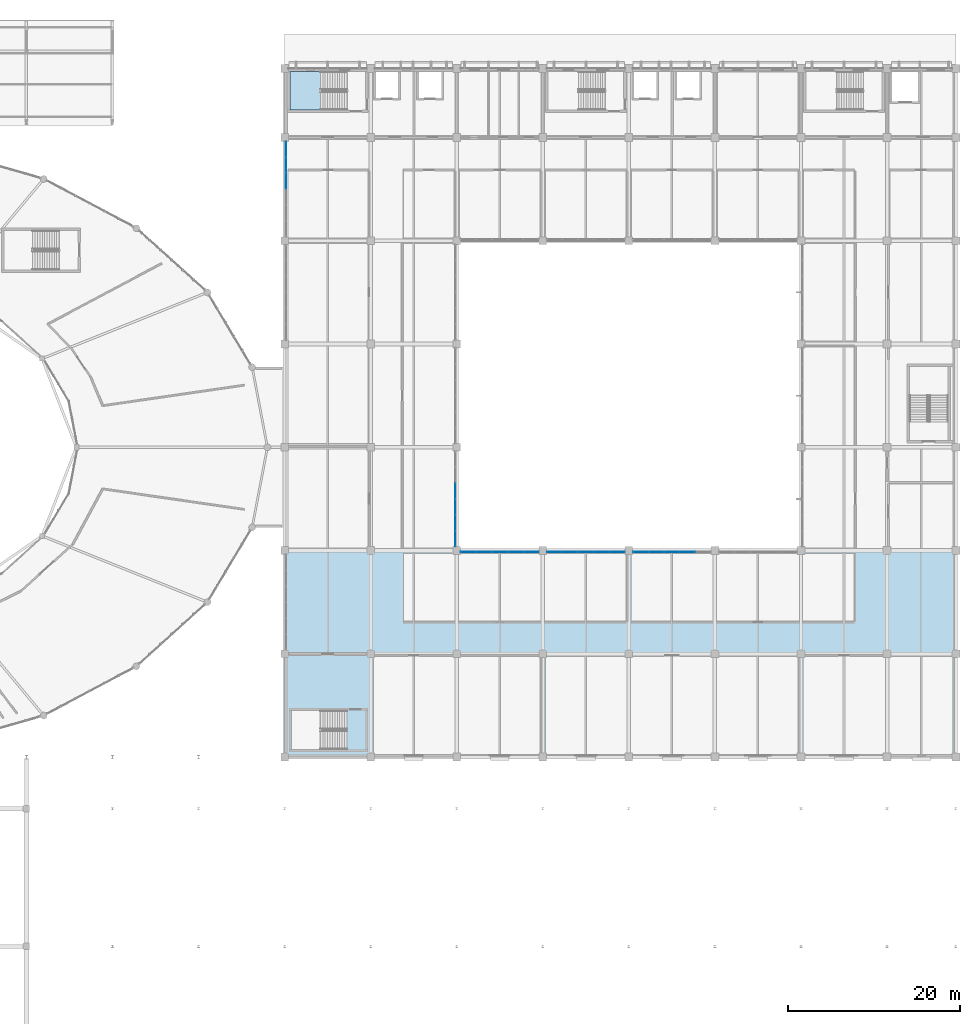
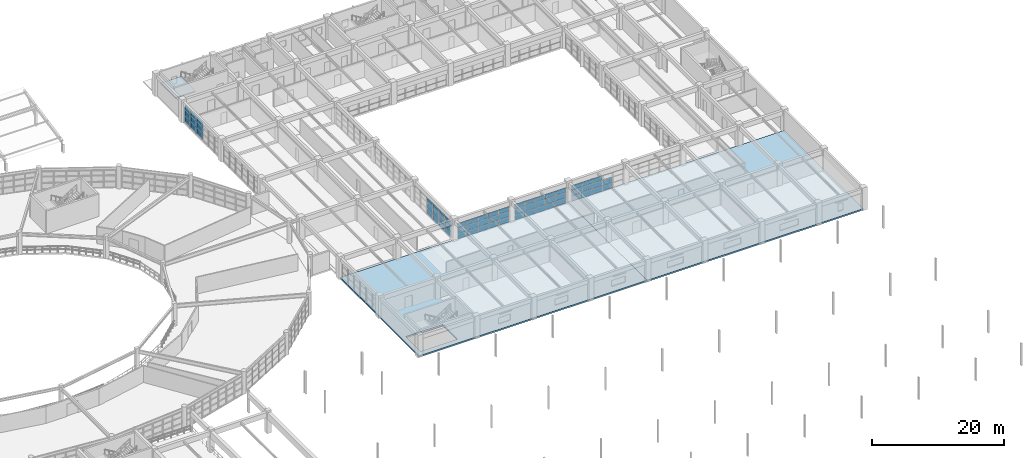
# One storey, part 70 of 100: 62 plates, 3 slabs, 6 elements without a shape of their own.
"""IFC4 building model written with IfcOpenShell, lengths in metres."""

from ifc_helpers import new_model, si_unit, direction, frame, origin, origin_2d, place, context, subcontext, project, spatial, polyline, rectangle, outline, extrude, material, layer, layer_set, type_object, element, aggregate, save


model = new_model("IFC4")

# Units and contexts
model_context = context("Model", 3, precision=1e-05, world=origin(), true_north=direction((0.0, 1.0)))
body_context = subcontext(model_context, "Body", "Model", "MODEL_VIEW")
ifc_project = project(units=[si_unit("LENGTHUNIT", "METRE"), si_unit("AREAUNIT", "SQUARE_METRE"), si_unit("VOLUMEUNIT", "CUBIC_METRE"), si_unit("PLANEANGLEUNIT", "RADIAN"), si_unit("MASSUNIT", "GRAM", prefix="KILO")], contexts=[model_context])

# Site, building, storey
site_placement = place(None, origin())
site = spatial("IfcSite", under=ifc_project, at=site_placement, CompositionType="ELEMENT")
building_placement = place(site_placement, origin())
building = spatial("IfcBuilding", under=site, at=building_placement, Name="Kivolera Central Railway Station", CompositionType="ELEMENT")
storey_placement = place(building_placement, frame((0.0, 0.0, 5.39990234375)))
storey = spatial("IfcBuildingStorey", under=building, at=storey_placement, Name="L01", CompositionType="ELEMENT", Elevation=5.39990234375)

# Curtain wall, plates
ifc_material_1 = material(Name="Anodised aluminium", Category="aluminium")
ifc_layer_1 = layer(ifc_material_1, 0.179931640625, Name="Anodised aluminium")
ifc_layer_set_1 = layer_set([ifc_layer_1], Name="Anodised aluminium")
curtain_wall_type_1 = type_object("IfcCurtainWallType", Name="CW-SYS-25", PredefinedType="NOTDEFINED", material=ifc_layer_set_1)
curtain_wall_1_placement = place(storey_placement, origin())
curtain_wall_1 = element("IfcCurtainWall", 1, at=curtain_wall_1_placement, inside=storey, type_object=curtain_wall_type_1, Name="L01 Curtain Wall CW-L01-CRTW-G", PredefinedType="NOTDEFINED")
ifc_material_2 = material(Name="Double low-E laminated glass", Category="glass")
ifc_layer_2 = layer(ifc_material_2, 0.02587890625, Name="Double low-E laminated glass")
ifc_layer_set_2 = layer_set([ifc_layer_2], Name="Double low-E laminated glass")
plate_type_1 = type_object("IfcPlateType", Name="CWP-GLZ-1", PredefinedType="CURTAIN_PANEL", material=ifc_layer_set_2)
plate_1_placement = place(storey_placement, frame((137.840087890625, 84.92578125, 0.048095703125), z_axis=(0.0, 0.0, 1.0), x_axis=(0.0, -1.0, 0.0)))
plate_1 = element("IfcPlate", 2, at=plate_1_placement, type_object=plate_type_1, Name="CW-25 panel 3.1", PredefinedType="CURTAIN_PANEL", context=body_context, shape_type="SweptSolid", body=[
    extrude(rectangle(XDim=1.815673828125, YDim=0.02587890625, at=origin_2d()), origin(), (0.0, 0.0, 1.0), 1.025390625),
])
plate_2_placement = place(storey_placement, frame((137.840087890625, 84.92578125, 1.109375), z_axis=(0.0, 0.0, 1.0), x_axis=(0.0, -1.0, 0.0)))
plate_2 = element("IfcPlate", 3, at=plate_2_placement, type_object=plate_type_1, Name="CW-25 panel 3.2", PredefinedType="CURTAIN_PANEL", context=body_context, shape_type="SweptSolid", body=[
    extrude(rectangle(XDim=1.815673828125, YDim=0.02587890625, at=origin_2d()), origin(), (0.0, 0.0, 1.0), 1.055419921875),
])
plate_3_placement = place(storey_placement, frame((137.840087890625, 84.92578125, 2.20068359375), z_axis=(0.0, 0.0, 1.0), x_axis=(0.0, -1.0, 0.0)))
plate_3 = element("IfcPlate", 4, at=plate_3_placement, type_object=plate_type_1, Name="CW-25 panel 3.3", PredefinedType="CURTAIN_PANEL", context=body_context, shape_type="SweptSolid", body=[
    extrude(rectangle(XDim=1.815673828125, YDim=0.02587890625, at=origin_2d()), origin(), (0.0, 0.0, 1.0), 0.869384765625),
])
plate_4_placement = place(storey_placement, frame((137.840087890625, 83.07421875, 0.048095703125), z_axis=(0.0, 0.0, 1.0), x_axis=(0.0, -1.0, 0.0)))
plate_4 = element("IfcPlate", 5, at=plate_4_placement, type_object=plate_type_1, Name="CW-25 panel 4.1", PredefinedType="CURTAIN_PANEL", context=body_context, shape_type="SweptSolid", body=[
    extrude(rectangle(XDim=1.815673828125, YDim=0.02587890625, at=origin_2d()), origin(), (0.0, 0.0, 1.0), 1.025390625),
])
plate_5_placement = place(storey_placement, frame((137.840087890625, 83.07421875, 1.109375), z_axis=(0.0, 0.0, 1.0), x_axis=(0.0, -1.0, 0.0)))
plate_5 = element("IfcPlate", 6, at=plate_5_placement, type_object=plate_type_1, Name="CW-25 panel 4.2", PredefinedType="CURTAIN_PANEL", context=body_context, shape_type="SweptSolid", body=[
    extrude(rectangle(XDim=1.815673828125, YDim=0.02587890625, at=origin_2d()), origin(), (0.0, 0.0, 1.0), 1.055419921875),
])
plate_6_placement = place(storey_placement, frame((137.840087890625, 83.07421875, 2.20068359375), z_axis=(0.0, 0.0, 1.0), x_axis=(0.0, -1.0, 0.0)))
plate_6 = element("IfcPlate", 7, at=plate_6_placement, type_object=plate_type_1, Name="CW-25 panel 4.3", PredefinedType="CURTAIN_PANEL", context=body_context, shape_type="SweptSolid", body=[
    extrude(rectangle(XDim=1.815673828125, YDim=0.02587890625, at=origin_2d()), origin(), (0.0, 0.0, 1.0), 0.869384765625),
])
plate_7_placement = place(storey_placement, frame((137.840087890625, 81.222412109375, 0.048095703125), z_axis=(0.0, 0.0, 1.0), x_axis=(0.0, -1.0, 0.0)))
plate_7 = element("IfcPlate", 8, at=plate_7_placement, type_object=plate_type_1, Name="CW-25 panel 5.1", PredefinedType="CURTAIN_PANEL", context=body_context, shape_type="SweptSolid", body=[
    extrude(rectangle(XDim=1.815673828125, YDim=0.02587890625, at=origin_2d()), origin(), (0.0, 0.0, 1.0), 1.025390625),
])
plate_8_placement = place(storey_placement, frame((137.840087890625, 81.222412109375, 1.109375), z_axis=(0.0, 0.0, 1.0), x_axis=(0.0, -1.0, 0.0)))
plate_8 = element("IfcPlate", 9, at=plate_8_placement, type_object=plate_type_1, Name="CW-25 panel 5.2", PredefinedType="CURTAIN_PANEL", context=body_context, shape_type="SweptSolid", body=[
    extrude(rectangle(XDim=1.815673828125, YDim=0.02587890625, at=origin_2d()), origin(), (0.0, 0.0, 1.0), 1.055419921875),
])
plate_9_placement = place(storey_placement, frame((137.840087890625, 81.222412109375, 2.20068359375), z_axis=(0.0, 0.0, 1.0), x_axis=(0.0, -1.0, 0.0)))
plate_9 = element("IfcPlate", 10, at=plate_9_placement, type_object=plate_type_1, Name="CW-25 panel 5.3", PredefinedType="CURTAIN_PANEL", context=body_context, shape_type="SweptSolid", body=[
    extrude(rectangle(XDim=1.815673828125, YDim=0.02587890625, at=origin_2d()), origin(), (0.0, 0.0, 1.0), 0.869384765625),
])
plate_10_placement = place(storey_placement, frame((137.840087890625, 79.3857421875, 0.048095703125), z_axis=(0.0, 0.0, 1.0), x_axis=(0.0, -1.0, 0.0)))
plate_10 = element("IfcPlate", 11, at=plate_10_placement, type_object=plate_type_1, Name="CW-25 panel 6.1", PredefinedType="CURTAIN_PANEL", context=body_context, shape_type="SweptSolid", body=[
    extrude(rectangle(XDim=1.78564453125, YDim=0.02587890625, at=origin_2d()), origin(), (0.0, 0.0, 1.0), 1.025390625),
])
plate_11_placement = place(storey_placement, frame((137.840087890625, 79.3857421875, 1.109375), z_axis=(0.0, 0.0, 1.0), x_axis=(0.0, -1.0, 0.0)))
plate_11 = element("IfcPlate", 12, at=plate_11_placement, type_object=plate_type_1, Name="CW-25 panel 6.2", PredefinedType="CURTAIN_PANEL", context=body_context, shape_type="SweptSolid", body=[
    extrude(rectangle(XDim=1.78564453125, YDim=0.02587890625, at=origin_2d()), origin(), (0.0, 0.0, 1.0), 1.055419921875),
])
plate_12_placement = place(storey_placement, frame((137.840087890625, 79.3857421875, 2.20068359375), z_axis=(0.0, 0.0, 1.0), x_axis=(0.0, -1.0, 0.0)))
plate_12 = element("IfcPlate", 13, at=plate_12_placement, type_object=plate_type_1, Name="CW-25 panel 6.3", PredefinedType="CURTAIN_PANEL", context=body_context, shape_type="SweptSolid", body=[
    extrude(rectangle(XDim=1.78564453125, YDim=0.02587890625, at=origin_2d()), origin(), (0.0, 0.0, 1.0), 0.869384765625),
])
aggregate(curtain_wall_1, [plate_1, plate_2, plate_3, plate_4, plate_5, plate_6, plate_7, plate_8, plate_9, plate_10, plate_11, plate_12])

ifc_layer_3 = layer(ifc_material_1, 0.179931640625, Name="Anodised aluminium")
ifc_layer_set_3 = layer_set([ifc_layer_3], Name="Anodised aluminium")
curtain_wall_type_2 = type_object("IfcCurtainWallType", Name="CW-SYS-26", PredefinedType="NOTDEFINED", material=ifc_layer_set_3)
curtain_wall_2_placement = place(storey_placement, origin())
curtain_wall_2 = element("IfcCurtainWall", 14, at=curtain_wall_2_placement, inside=storey, type_object=curtain_wall_type_2, Name="L01 Curtain Wall CW-L01-WEST-K", PredefinedType="NOTDEFINED")
ifc_layer_4 = layer(ifc_material_2, 0.030029296875, Name="Double low-E laminated glass")
ifc_layer_set_4 = layer_set([ifc_layer_4], Name="Double low-E laminated glass")
plate_type_2 = type_object("IfcPlateType", Name="CWP-GLZ-2", PredefinedType="CURTAIN_PANEL", material=ifc_layer_set_4)
plate_13_placement = place(storey_placement, frame((118.159912109375, 120.92578125, 0.05810546875), z_axis=(0.0, 0.0, 1.0), x_axis=(0.0, 1.0, 0.0)))
plate_13 = element("IfcPlate", 15, at=plate_13_placement, type_object=plate_type_2, Name="CW-26 panel 4.1", PredefinedType="CURTAIN_PANEL", context=body_context, shape_type="SweptSolid", body=[
    extrude(rectangle(XDim=1.8056640625, YDim=0.030029296875, at=origin_2d()), origin(), (0.0, 0.0, 1.0), 1.04541015625),
])
plate_14_placement = place(storey_placement, frame((118.159912109375, 120.92578125, 1.1494140625), z_axis=(0.0, 0.0, 1.0), x_axis=(0.0, 1.0, 0.0)))
plate_14 = element("IfcPlate", 16, at=plate_14_placement, type_object=plate_type_2, Name="CW-26 panel 4.2", PredefinedType="CURTAIN_PANEL", context=body_context, shape_type="SweptSolid", body=[
    extrude(rectangle(XDim=1.8056640625, YDim=0.030029296875, at=origin_2d()), origin(), (0.0, 0.0, 1.0), 1.080322265625),
])
plate_15_placement = place(storey_placement, frame((118.159912109375, 120.92578125, 2.27587890625), z_axis=(0.0, 0.0, 1.0), x_axis=(0.0, 1.0, 0.0)))
plate_15 = element("IfcPlate", 17, at=plate_15_placement, type_object=plate_type_2, Name="CW-26 panel 4.3", PredefinedType="CURTAIN_PANEL", context=body_context, shape_type="SweptSolid", body=[
    extrude(rectangle(XDim=1.8056640625, YDim=0.030029296875, at=origin_2d()), origin(), (0.0, 0.0, 1.0), 0.884521484375),
])
plate_16_placement = place(storey_placement, frame((118.159912109375, 122.777587890625, 0.05810546875), z_axis=(0.0, 0.0, 1.0), x_axis=(0.0, 1.0, 0.0)))
plate_16 = element("IfcPlate", 18, at=plate_16_placement, type_object=plate_type_2, Name="CW-26 panel 5.1", PredefinedType="CURTAIN_PANEL", context=body_context, shape_type="SweptSolid", body=[
    extrude(rectangle(XDim=1.8056640625, YDim=0.030029296875, at=origin_2d()), origin(), (0.0, 0.0, 1.0), 1.04541015625),
])
plate_17_placement = place(storey_placement, frame((118.159912109375, 122.777587890625, 1.1494140625), z_axis=(0.0, 0.0, 1.0), x_axis=(0.0, 1.0, 0.0)))
plate_17 = element("IfcPlate", 19, at=plate_17_placement, type_object=plate_type_2, Name="CW-26 panel 5.2", PredefinedType="CURTAIN_PANEL", context=body_context, shape_type="SweptSolid", body=[
    extrude(rectangle(XDim=1.8056640625, YDim=0.030029296875, at=origin_2d()), origin(), (0.0, 0.0, 1.0), 1.080322265625),
])
plate_18_placement = place(storey_placement, frame((118.159912109375, 122.777587890625, 2.27587890625), z_axis=(0.0, 0.0, 1.0), x_axis=(0.0, 1.0, 0.0)))
plate_18 = element("IfcPlate", 20, at=plate_18_placement, type_object=plate_type_2, Name="CW-26 panel 5.3", PredefinedType="CURTAIN_PANEL", context=body_context, shape_type="SweptSolid", body=[
    extrude(rectangle(XDim=1.8056640625, YDim=0.030029296875, at=origin_2d()), origin(), (0.0, 0.0, 1.0), 0.884521484375),
])
plate_19_placement = place(storey_placement, frame((118.159912109375, 124.611572265625, 0.05810546875), z_axis=(0.0, 0.0, 1.0), x_axis=(0.0, 1.0, 0.0)))
plate_19 = element("IfcPlate", 21, at=plate_19_placement, type_object=plate_type_2, Name="CW-26 panel 6.1", PredefinedType="CURTAIN_PANEL", context=body_context, shape_type="SweptSolid", body=[
    extrude(rectangle(XDim=1.770751953125, YDim=0.030029296875, at=origin_2d()), origin(), (0.0, 0.0, 1.0), 1.04541015625),
])
plate_20_placement = place(storey_placement, frame((118.159912109375, 124.611572265625, 1.1494140625), z_axis=(0.0, 0.0, 1.0), x_axis=(0.0, 1.0, 0.0)))
plate_20 = element("IfcPlate", 22, at=plate_20_placement, type_object=plate_type_2, Name="CW-26 panel 6.2", PredefinedType="CURTAIN_PANEL", context=body_context, shape_type="SweptSolid", body=[
    extrude(rectangle(XDim=1.770751953125, YDim=0.030029296875, at=origin_2d()), origin(), (0.0, 0.0, 1.0), 1.080322265625),
])
plate_21_placement = place(storey_placement, frame((118.159912109375, 124.611572265625, 2.27587890625), z_axis=(0.0, 0.0, 1.0), x_axis=(0.0, 1.0, 0.0)))
plate_21 = element("IfcPlate", 23, at=plate_21_placement, type_object=plate_type_2, Name="CW-26 panel 6.3", PredefinedType="CURTAIN_PANEL", context=body_context, shape_type="SweptSolid", body=[
    extrude(rectangle(XDim=1.770751953125, YDim=0.030029296875, at=origin_2d()), origin(), (0.0, 0.0, 1.0), 0.884521484375),
])
aggregate(curtain_wall_2, [plate_13, plate_14, plate_15, plate_16, plate_17, plate_18, plate_19, plate_20, plate_21])

ifc_layer_5 = layer(ifc_material_1, 0.179931640625, Name="Anodised aluminium")
ifc_layer_set_5 = layer_set([ifc_layer_5], Name="Anodised aluminium")
curtain_wall_type_3 = type_object("IfcCurtainWallType", Name="CW-SYS-24", PredefinedType="NOTDEFINED", material=ifc_layer_set_5)
curtain_wall_3_placement = place(storey_placement, origin())
curtain_wall_3 = element("IfcCurtainWall", 24, at=curtain_wall_3_placement, inside=storey, type_object=curtain_wall_type_3, Name="L01 Curtain Wall CW-L01-CRTS-138", PredefinedType="NOTDEFINED")
ifc_layer_6 = layer(ifc_material_2, 0.033935546875, Name="Double low-E laminated glass")
ifc_layer_set_6 = layer_set([ifc_layer_6], Name="Double low-E laminated glass")
plate_type_3 = type_object("IfcPlateType", Name="CWP-GLZ-3", PredefinedType="CURTAIN_PANEL", material=ifc_layer_set_6)
plate_22_placement = place(storey_placement, frame((139.37109375, 77.840087890625, 0.048095703125), z_axis=(0.0, 0.0, 1.0), x_axis=(1.0, 0.0, 0.0)))
plate_22 = element("IfcPlate", 25, at=plate_22_placement, type_object=plate_type_3, Name="CW-24 panel 1.1", PredefinedType="CURTAIN_PANEL", context=body_context, shape_type="SweptSolid", body=[
    extrude(rectangle(XDim=1.756103515625, YDim=0.033935546875, at=origin_2d()), origin(), (0.0, 0.0, 1.0), 0.990234375),
])
plate_23_placement = place(storey_placement, frame((139.37109375, 77.840087890625, 1.07421875), z_axis=(0.0, 0.0, 1.0), x_axis=(1.0, 0.0, 0.0)))
plate_23 = element("IfcPlate", 26, at=plate_23_placement, type_object=plate_type_3, Name="CW-24 panel 1.2", PredefinedType="CURTAIN_PANEL", context=body_context, shape_type="SweptSolid", body=[
    extrude(rectangle(XDim=1.756103515625, YDim=0.033935546875, at=origin_2d()), origin(), (0.0, 0.0, 1.0), 1.020263671875),
])
plate_24_placement = place(storey_placement, frame((139.37109375, 77.840087890625, 2.130615234375), z_axis=(0.0, 0.0, 1.0), x_axis=(1.0, 0.0, 0.0)))
plate_24 = element("IfcPlate", 27, at=plate_24_placement, type_object=plate_type_3, Name="CW-24 panel 1.3", PredefinedType="CURTAIN_PANEL", context=body_context, shape_type="SweptSolid", body=[
    extrude(rectangle(XDim=1.756103515625, YDim=0.033935546875, at=origin_2d()), origin(), (0.0, 0.0, 1.0), 0.83935546875),
])
plate_25_placement = place(storey_placement, frame((141.177978515625, 77.840087890625, 0.048095703125), z_axis=(0.0, 0.0, 1.0), x_axis=(1.0, 0.0, 0.0)))
plate_25 = element("IfcPlate", 28, at=plate_25_placement, type_object=plate_type_3, Name="CW-24 panel 2.1", PredefinedType="CURTAIN_PANEL", context=body_context, shape_type="SweptSolid", body=[
    extrude(rectangle(XDim=1.785888671875, YDim=0.033935546875, at=origin_2d()), origin(), (0.0, 0.0, 1.0), 0.990234375),
])
plate_26_placement = place(storey_placement, frame((141.177978515625, 77.840087890625, 1.07421875), z_axis=(0.0, 0.0, 1.0), x_axis=(1.0, 0.0, 0.0)))
plate_26 = element("IfcPlate", 29, at=plate_26_placement, type_object=plate_type_3, Name="CW-24 panel 2.2", PredefinedType="CURTAIN_PANEL", context=body_context, shape_type="SweptSolid", body=[
    extrude(rectangle(XDim=1.785888671875, YDim=0.033935546875, at=origin_2d()), origin(), (0.0, 0.0, 1.0), 1.020263671875),
])
plate_27_placement = place(storey_placement, frame((141.177978515625, 77.840087890625, 2.130615234375), z_axis=(0.0, 0.0, 1.0), x_axis=(1.0, 0.0, 0.0)))
plate_27 = element("IfcPlate", 30, at=plate_27_placement, type_object=plate_type_3, Name="CW-24 panel 2.3", PredefinedType="CURTAIN_PANEL", context=body_context, shape_type="SweptSolid", body=[
    extrude(rectangle(XDim=1.785888671875, YDim=0.033935546875, at=origin_2d()), origin(), (0.0, 0.0, 1.0), 0.83935546875),
])
plate_28_placement = place(storey_placement, frame((143.0, 77.840087890625, 0.048095703125), z_axis=(0.0, 0.0, 1.0), x_axis=(1.0, 0.0, 0.0)))
plate_28 = element("IfcPlate", 31, at=plate_28_placement, type_object=plate_type_3, Name="CW-24 panel 3.1", PredefinedType="CURTAIN_PANEL", context=body_context, shape_type="SweptSolid", body=[
    extrude(rectangle(XDim=1.785888671875, YDim=0.033935546875, at=origin_2d()), origin(), (0.0, 0.0, 1.0), 0.990234375),
])
plate_29_placement = place(storey_placement, frame((143.0, 77.840087890625, 1.07421875), z_axis=(0.0, 0.0, 1.0), x_axis=(1.0, 0.0, 0.0)))
plate_29 = element("IfcPlate", 32, at=plate_29_placement, type_object=plate_type_3, Name="CW-24 panel 3.2", PredefinedType="CURTAIN_PANEL", context=body_context, shape_type="SweptSolid", body=[
    extrude(rectangle(XDim=1.785888671875, YDim=0.033935546875, at=origin_2d()), origin(), (0.0, 0.0, 1.0), 1.020263671875),
])
plate_30_placement = place(storey_placement, frame((143.0, 77.840087890625, 2.130615234375), z_axis=(0.0, 0.0, 1.0), x_axis=(1.0, 0.0, 0.0)))
plate_30 = element("IfcPlate", 33, at=plate_30_placement, type_object=plate_type_3, Name="CW-24 panel 3.3", PredefinedType="CURTAIN_PANEL", context=body_context, shape_type="SweptSolid", body=[
    extrude(rectangle(XDim=1.785888671875, YDim=0.033935546875, at=origin_2d()), origin(), (0.0, 0.0, 1.0), 0.83935546875),
])
plate_31_placement = place(storey_placement, frame((144.822021484375, 77.840087890625, 0.048095703125), z_axis=(0.0, 0.0, 1.0), x_axis=(1.0, 0.0, 0.0)))
plate_31 = element("IfcPlate", 34, at=plate_31_placement, type_object=plate_type_3, Name="CW-24 panel 4.1", PredefinedType="CURTAIN_PANEL", context=body_context, shape_type="SweptSolid", body=[
    extrude(rectangle(XDim=1.785888671875, YDim=0.033935546875, at=origin_2d()), origin(), (0.0, 0.0, 1.0), 0.990234375),
])
plate_32_placement = place(storey_placement, frame((144.822021484375, 77.840087890625, 1.07421875), z_axis=(0.0, 0.0, 1.0), x_axis=(1.0, 0.0, 0.0)))
plate_32 = element("IfcPlate", 35, at=plate_32_placement, type_object=plate_type_3, Name="CW-24 panel 4.2", PredefinedType="CURTAIN_PANEL", context=body_context, shape_type="SweptSolid", body=[
    extrude(rectangle(XDim=1.785888671875, YDim=0.033935546875, at=origin_2d()), origin(), (0.0, 0.0, 1.0), 1.020263671875),
])
plate_33_placement = place(storey_placement, frame((144.822021484375, 77.840087890625, 2.130615234375), z_axis=(0.0, 0.0, 1.0), x_axis=(1.0, 0.0, 0.0)))
plate_33 = element("IfcPlate", 36, at=plate_33_placement, type_object=plate_type_3, Name="CW-24 panel 4.3", PredefinedType="CURTAIN_PANEL", context=body_context, shape_type="SweptSolid", body=[
    extrude(rectangle(XDim=1.785888671875, YDim=0.033935546875, at=origin_2d()), origin(), (0.0, 0.0, 1.0), 0.83935546875),
])
plate_34_placement = place(storey_placement, frame((146.62890625, 77.840087890625, 0.048095703125), z_axis=(0.0, 0.0, 1.0), x_axis=(1.0, 0.0, 0.0)))
plate_34 = element("IfcPlate", 37, at=plate_34_placement, type_object=plate_type_3, Name="CW-24 panel 5.1", PredefinedType="CURTAIN_PANEL", context=body_context, shape_type="SweptSolid", body=[
    extrude(rectangle(XDim=1.756103515625, YDim=0.033935546875, at=origin_2d()), origin(), (0.0, 0.0, 1.0), 0.990234375),
])
plate_35_placement = place(storey_placement, frame((146.62890625, 77.840087890625, 1.07421875), z_axis=(0.0, 0.0, 1.0), x_axis=(1.0, 0.0, 0.0)))
plate_35 = element("IfcPlate", 38, at=plate_35_placement, type_object=plate_type_3, Name="CW-24 panel 5.2", PredefinedType="CURTAIN_PANEL", context=body_context, shape_type="SweptSolid", body=[
    extrude(rectangle(XDim=1.756103515625, YDim=0.033935546875, at=origin_2d()), origin(), (0.0, 0.0, 1.0), 1.020263671875),
])
plate_36_placement = place(storey_placement, frame((146.62890625, 77.840087890625, 2.130615234375), z_axis=(0.0, 0.0, 1.0), x_axis=(1.0, 0.0, 0.0)))
plate_36 = element("IfcPlate", 39, at=plate_36_placement, type_object=plate_type_3, Name="CW-24 panel 5.3", PredefinedType="CURTAIN_PANEL", context=body_context, shape_type="SweptSolid", body=[
    extrude(rectangle(XDim=1.756103515625, YDim=0.033935546875, at=origin_2d()), origin(), (0.0, 0.0, 1.0), 0.83935546875),
])
aggregate(curtain_wall_3, [plate_22, plate_23, plate_24, plate_25, plate_26, plate_27, plate_28, plate_29, plate_30, plate_31, plate_32, plate_33, plate_34, plate_35, plate_36])

curtain_wall_4_placement = place(storey_placement, origin())
curtain_wall_4 = element("IfcCurtainWall", 40, at=curtain_wall_4_placement, inside=storey, type_object=curtain_wall_type_3, Name="L01 Curtain Wall CW-L01-CRTS-148", PredefinedType="NOTDEFINED")
plate_37_placement = place(storey_placement, frame((149.37109375, 77.840087890625, 0.048095703125), z_axis=(0.0, 0.0, 1.0), x_axis=(1.0, 0.0, 0.0)))
plate_37 = element("IfcPlate", 41, at=plate_37_placement, type_object=plate_type_3, Name="CW-24 panel 1.1", PredefinedType="CURTAIN_PANEL", context=body_context, shape_type="SweptSolid", body=[
    extrude(rectangle(XDim=1.756103515625, YDim=0.033935546875, at=origin_2d()), origin(), (0.0, 0.0, 1.0), 0.990234375),
])
plate_38_placement = place(storey_placement, frame((149.37109375, 77.840087890625, 1.07421875), z_axis=(0.0, 0.0, 1.0), x_axis=(1.0, 0.0, 0.0)))
plate_38 = element("IfcPlate", 42, at=plate_38_placement, type_object=plate_type_3, Name="CW-24 panel 1.2", PredefinedType="CURTAIN_PANEL", context=body_context, shape_type="SweptSolid", body=[
    extrude(rectangle(XDim=1.756103515625, YDim=0.033935546875, at=origin_2d()), origin(), (0.0, 0.0, 1.0), 1.020263671875),
])
plate_39_placement = place(storey_placement, frame((149.37109375, 77.840087890625, 2.130615234375), z_axis=(0.0, 0.0, 1.0), x_axis=(1.0, 0.0, 0.0)))
plate_39 = element("IfcPlate", 43, at=plate_39_placement, type_object=plate_type_3, Name="CW-24 panel 1.3", PredefinedType="CURTAIN_PANEL", context=body_context, shape_type="SweptSolid", body=[
    extrude(rectangle(XDim=1.756103515625, YDim=0.033935546875, at=origin_2d()), origin(), (0.0, 0.0, 1.0), 0.83935546875),
])
plate_40_placement = place(storey_placement, frame((151.177978515625, 77.840087890625, 0.048095703125), z_axis=(0.0, 0.0, 1.0), x_axis=(1.0, 0.0, 0.0)))
plate_40 = element("IfcPlate", 44, at=plate_40_placement, type_object=plate_type_3, Name="CW-24 panel 2.1", PredefinedType="CURTAIN_PANEL", context=body_context, shape_type="SweptSolid", body=[
    extrude(rectangle(XDim=1.785888671875, YDim=0.033935546875, at=origin_2d()), origin(), (0.0, 0.0, 1.0), 0.990234375),
])
plate_41_placement = place(storey_placement, frame((151.177978515625, 77.840087890625, 1.07421875), z_axis=(0.0, 0.0, 1.0), x_axis=(1.0, 0.0, 0.0)))
plate_41 = element("IfcPlate", 45, at=plate_41_placement, type_object=plate_type_3, Name="CW-24 panel 2.2", PredefinedType="CURTAIN_PANEL", context=body_context, shape_type="SweptSolid", body=[
    extrude(rectangle(XDim=1.785888671875, YDim=0.033935546875, at=origin_2d()), origin(), (0.0, 0.0, 1.0), 1.020263671875),
])
plate_42_placement = place(storey_placement, frame((151.177978515625, 77.840087890625, 2.130615234375), z_axis=(0.0, 0.0, 1.0), x_axis=(1.0, 0.0, 0.0)))
plate_42 = element("IfcPlate", 46, at=plate_42_placement, type_object=plate_type_3, Name="CW-24 panel 2.3", PredefinedType="CURTAIN_PANEL", context=body_context, shape_type="SweptSolid", body=[
    extrude(rectangle(XDim=1.785888671875, YDim=0.033935546875, at=origin_2d()), origin(), (0.0, 0.0, 1.0), 0.83935546875),
])
plate_43_placement = place(storey_placement, frame((153.0, 77.840087890625, 0.048095703125), z_axis=(0.0, 0.0, 1.0), x_axis=(1.0, 0.0, 0.0)))
plate_43 = element("IfcPlate", 47, at=plate_43_placement, type_object=plate_type_3, Name="CW-24 panel 3.1", PredefinedType="CURTAIN_PANEL", context=body_context, shape_type="SweptSolid", body=[
    extrude(rectangle(XDim=1.785888671875, YDim=0.033935546875, at=origin_2d()), origin(), (0.0, 0.0, 1.0), 0.990234375),
])
plate_44_placement = place(storey_placement, frame((153.0, 77.840087890625, 1.07421875), z_axis=(0.0, 0.0, 1.0), x_axis=(1.0, 0.0, 0.0)))
plate_44 = element("IfcPlate", 48, at=plate_44_placement, type_object=plate_type_3, Name="CW-24 panel 3.2", PredefinedType="CURTAIN_PANEL", context=body_context, shape_type="SweptSolid", body=[
    extrude(rectangle(XDim=1.785888671875, YDim=0.033935546875, at=origin_2d()), origin(), (0.0, 0.0, 1.0), 1.020263671875),
])
plate_45_placement = place(storey_placement, frame((153.0, 77.840087890625, 2.130615234375), z_axis=(0.0, 0.0, 1.0), x_axis=(1.0, 0.0, 0.0)))
plate_45 = element("IfcPlate", 49, at=plate_45_placement, type_object=plate_type_3, Name="CW-24 panel 3.3", PredefinedType="CURTAIN_PANEL", context=body_context, shape_type="SweptSolid", body=[
    extrude(rectangle(XDim=1.785888671875, YDim=0.033935546875, at=origin_2d()), origin(), (0.0, 0.0, 1.0), 0.83935546875),
])
plate_46_placement = place(storey_placement, frame((154.822021484375, 77.840087890625, 0.048095703125), z_axis=(0.0, 0.0, 1.0), x_axis=(1.0, 0.0, 0.0)))
plate_46 = element("IfcPlate", 50, at=plate_46_placement, type_object=plate_type_3, Name="CW-24 panel 4.1", PredefinedType="CURTAIN_PANEL", context=body_context, shape_type="SweptSolid", body=[
    extrude(rectangle(XDim=1.785888671875, YDim=0.033935546875, at=origin_2d()), origin(), (0.0, 0.0, 1.0), 0.990234375),
])
plate_47_placement = place(storey_placement, frame((154.822021484375, 77.840087890625, 1.07421875), z_axis=(0.0, 0.0, 1.0), x_axis=(1.0, 0.0, 0.0)))
plate_47 = element("IfcPlate", 51, at=plate_47_placement, type_object=plate_type_3, Name="CW-24 panel 4.2", PredefinedType="CURTAIN_PANEL", context=body_context, shape_type="SweptSolid", body=[
    extrude(rectangle(XDim=1.785888671875, YDim=0.033935546875, at=origin_2d()), origin(), (0.0, 0.0, 1.0), 1.020263671875),
])
plate_48_placement = place(storey_placement, frame((154.822021484375, 77.840087890625, 2.130615234375), z_axis=(0.0, 0.0, 1.0), x_axis=(1.0, 0.0, 0.0)))
plate_48 = element("IfcPlate", 52, at=plate_48_placement, type_object=plate_type_3, Name="CW-24 panel 4.3", PredefinedType="CURTAIN_PANEL", context=body_context, shape_type="SweptSolid", body=[
    extrude(rectangle(XDim=1.785888671875, YDim=0.033935546875, at=origin_2d()), origin(), (0.0, 0.0, 1.0), 0.83935546875),
])
plate_49_placement = place(storey_placement, frame((156.62890625, 77.840087890625, 0.048095703125), z_axis=(0.0, 0.0, 1.0), x_axis=(1.0, 0.0, 0.0)))
plate_49 = element("IfcPlate", 53, at=plate_49_placement, type_object=plate_type_3, Name="CW-24 panel 5.1", PredefinedType="CURTAIN_PANEL", context=body_context, shape_type="SweptSolid", body=[
    extrude(rectangle(XDim=1.756103515625, YDim=0.033935546875, at=origin_2d()), origin(), (0.0, 0.0, 1.0), 0.990234375),
])
plate_50_placement = place(storey_placement, frame((156.62890625, 77.840087890625, 1.07421875), z_axis=(0.0, 0.0, 1.0), x_axis=(1.0, 0.0, 0.0)))
plate_50 = element("IfcPlate", 54, at=plate_50_placement, type_object=plate_type_3, Name="CW-24 panel 5.2", PredefinedType="CURTAIN_PANEL", context=body_context, shape_type="SweptSolid", body=[
    extrude(rectangle(XDim=1.756103515625, YDim=0.033935546875, at=origin_2d()), origin(), (0.0, 0.0, 1.0), 1.020263671875),
])
plate_51_placement = place(storey_placement, frame((156.62890625, 77.840087890625, 2.130615234375), z_axis=(0.0, 0.0, 1.0), x_axis=(1.0, 0.0, 0.0)))
plate_51 = element("IfcPlate", 55, at=plate_51_placement, type_object=plate_type_3, Name="CW-24 panel 5.3", PredefinedType="CURTAIN_PANEL", context=body_context, shape_type="SweptSolid", body=[
    extrude(rectangle(XDim=1.756103515625, YDim=0.033935546875, at=origin_2d()), origin(), (0.0, 0.0, 1.0), 0.83935546875),
])
aggregate(curtain_wall_4, [plate_37, plate_38, plate_39, plate_40, plate_41, plate_42, plate_43, plate_44, plate_45, plate_46, plate_47, plate_48, plate_49, plate_50, plate_51])

curtain_wall_5_placement = place(storey_placement, origin())
curtain_wall_5 = element("IfcCurtainWall", 56, at=curtain_wall_5_placement, inside=storey, type_object=curtain_wall_type_3, Name="L01 Curtain Wall CW-L01-CRTS-158", PredefinedType="NOTDEFINED")
plate_52_placement = place(storey_placement, frame((159.37109375, 77.840087890625, 0.048095703125), z_axis=(0.0, 0.0, 1.0), x_axis=(1.0, 0.0, 0.0)))
plate_52 = element("IfcPlate", 57, at=plate_52_placement, type_object=plate_type_3, Name="CW-24 panel 1.1", PredefinedType="CURTAIN_PANEL", context=body_context, shape_type="SweptSolid", body=[
    extrude(rectangle(XDim=1.756103515625, YDim=0.033935546875, at=origin_2d()), origin(), (0.0, 0.0, 1.0), 0.990234375),
])
plate_53_placement = place(storey_placement, frame((159.37109375, 77.840087890625, 1.07421875), z_axis=(0.0, 0.0, 1.0), x_axis=(1.0, 0.0, 0.0)))
plate_53 = element("IfcPlate", 58, at=plate_53_placement, type_object=plate_type_3, Name="CW-24 panel 1.2", PredefinedType="CURTAIN_PANEL", context=body_context, shape_type="SweptSolid", body=[
    extrude(rectangle(XDim=1.756103515625, YDim=0.033935546875, at=origin_2d()), origin(), (0.0, 0.0, 1.0), 1.020263671875),
])
plate_54_placement = place(storey_placement, frame((159.37109375, 77.840087890625, 2.130615234375), z_axis=(0.0, 0.0, 1.0), x_axis=(1.0, 0.0, 0.0)))
plate_54 = element("IfcPlate", 59, at=plate_54_placement, type_object=plate_type_3, Name="CW-24 panel 1.3", PredefinedType="CURTAIN_PANEL", context=body_context, shape_type="SweptSolid", body=[
    extrude(rectangle(XDim=1.756103515625, YDim=0.033935546875, at=origin_2d()), origin(), (0.0, 0.0, 1.0), 0.83935546875),
])
plate_55_placement = place(storey_placement, frame((161.177978515625, 77.840087890625, 0.048095703125), z_axis=(0.0, 0.0, 1.0), x_axis=(1.0, 0.0, 0.0)))
plate_55 = element("IfcPlate", 60, at=plate_55_placement, type_object=plate_type_3, Name="CW-24 panel 2.1", PredefinedType="CURTAIN_PANEL", context=body_context, shape_type="SweptSolid", body=[
    extrude(rectangle(XDim=1.785888671875, YDim=0.033935546875, at=origin_2d()), origin(), (0.0, 0.0, 1.0), 0.990234375),
])
plate_56_placement = place(storey_placement, frame((161.177978515625, 77.840087890625, 1.07421875), z_axis=(0.0, 0.0, 1.0), x_axis=(1.0, 0.0, 0.0)))
plate_56 = element("IfcPlate", 61, at=plate_56_placement, type_object=plate_type_3, Name="CW-24 panel 2.2", PredefinedType="CURTAIN_PANEL", context=body_context, shape_type="SweptSolid", body=[
    extrude(rectangle(XDim=1.785888671875, YDim=0.033935546875, at=origin_2d()), origin(), (0.0, 0.0, 1.0), 1.020263671875),
])
plate_57_placement = place(storey_placement, frame((161.177978515625, 77.840087890625, 2.130615234375), z_axis=(0.0, 0.0, 1.0), x_axis=(1.0, 0.0, 0.0)))
plate_57 = element("IfcPlate", 62, at=plate_57_placement, type_object=plate_type_3, Name="CW-24 panel 2.3", PredefinedType="CURTAIN_PANEL", context=body_context, shape_type="SweptSolid", body=[
    extrude(rectangle(XDim=1.785888671875, YDim=0.033935546875, at=origin_2d()), origin(), (0.0, 0.0, 1.0), 0.83935546875),
])
plate_58_placement = place(storey_placement, frame((163.0, 77.840087890625, 0.048095703125), z_axis=(0.0, 0.0, 1.0), x_axis=(1.0, 0.0, 0.0)))
plate_58 = element("IfcPlate", 63, at=plate_58_placement, type_object=plate_type_3, Name="CW-24 panel 3.1", PredefinedType="CURTAIN_PANEL", context=body_context, shape_type="SweptSolid", body=[
    extrude(rectangle(XDim=1.785888671875, YDim=0.033935546875, at=origin_2d()), origin(), (0.0, 0.0, 1.0), 0.990234375),
])
plate_59_placement = place(storey_placement, frame((163.0, 77.840087890625, 1.07421875), z_axis=(0.0, 0.0, 1.0), x_axis=(1.0, 0.0, 0.0)))
plate_59 = element("IfcPlate", 64, at=plate_59_placement, type_object=plate_type_3, Name="CW-24 panel 3.2", PredefinedType="CURTAIN_PANEL", context=body_context, shape_type="SweptSolid", body=[
    extrude(rectangle(XDim=1.785888671875, YDim=0.033935546875, at=origin_2d()), origin(), (0.0, 0.0, 1.0), 1.020263671875),
])
plate_60_placement = place(storey_placement, frame((163.0, 77.840087890625, 2.130615234375), z_axis=(0.0, 0.0, 1.0), x_axis=(1.0, 0.0, 0.0)))
plate_60 = element("IfcPlate", 65, at=plate_60_placement, type_object=plate_type_3, Name="CW-24 panel 3.3", PredefinedType="CURTAIN_PANEL", context=body_context, shape_type="SweptSolid", body=[
    extrude(rectangle(XDim=1.785888671875, YDim=0.033935546875, at=origin_2d()), origin(), (0.0, 0.0, 1.0), 0.83935546875),
])
plate_61_placement = place(storey_placement, frame((164.822021484375, 77.840087890625, 0.048095703125), z_axis=(0.0, 0.0, 1.0), x_axis=(1.0, 0.0, 0.0)))
plate_61 = element("IfcPlate", 66, at=plate_61_placement, type_object=plate_type_3, Name="CW-24 panel 4.1", PredefinedType="CURTAIN_PANEL", context=body_context, shape_type="SweptSolid", body=[
    extrude(rectangle(XDim=1.785888671875, YDim=0.033935546875, at=origin_2d()), origin(), (0.0, 0.0, 1.0), 0.990234375),
])
plate_62_placement = place(storey_placement, frame((164.822021484375, 77.840087890625, 1.07421875), z_axis=(0.0, 0.0, 1.0), x_axis=(1.0, 0.0, 0.0)))
plate_62 = element("IfcPlate", 67, at=plate_62_placement, type_object=plate_type_3, Name="CW-24 panel 4.2", PredefinedType="CURTAIN_PANEL", context=body_context, shape_type="SweptSolid", body=[
    extrude(rectangle(XDim=1.785888671875, YDim=0.033935546875, at=origin_2d()), origin(), (0.0, 0.0, 1.0), 1.020263671875),
])
aggregate(curtain_wall_5, [plate_52, plate_53, plate_54, plate_55, plate_56, plate_57, plate_58, plate_59, plate_60, plate_61, plate_62])

# Slabs
ifc_material_3 = material(Name="Concrete C40/50", Category="concrete")
ifc_layer_7 = layer(ifc_material_3, 0.280029296875, Name="Concrete C40/50")
ifc_layer_set_7 = layer_set([ifc_layer_7], Name="Concrete C40/50")
slab_type_1 = type_object("IfcSlabType", Name="SLB-FLR-280", PredefinedType="FLOOR", material=ifc_layer_set_7)
slab_1_placement = place(storey_placement, frame((0.0, 0.0, -0.27978515625)))
element("IfcSlab", 68, at=slab_1_placement, inside=storey, type_object=slab_type_1, Name="L01 Wing SOUTH-W Floor Slab", PredefinedType="FLOOR", context=body_context, shape_type="SweptSolid", body=[
    extrude(outline(polyline([(118.0, 54.0), (158.0, 54.0), (158.0, 78.0), (118.0, 78.0), (118.0, 54.0)]), holes=[polyline([(125.239990234375, 59.39990234375), (118.800048828125, 59.39990234375), (118.800048828125, 54.89990234375), (125.239990234375, 54.89990234375), (125.239990234375, 59.39990234375)])]), origin(), (0.0, 0.0, 1.0), 0.27978515625),
])
slab_2_placement = place(storey_placement, frame((0.0, 0.0, -0.27978515625)))
element("IfcSlab", 69, at=slab_2_placement, inside=storey, type_object=slab_type_1, Name="L01 Wing SOUTH-E Floor Slab", PredefinedType="FLOOR", context=body_context, shape_type="SweptSolid", body=[
    extrude(outline(polyline([(158.0, 54.0), (196.0, 54.0), (196.0, 78.0), (158.0, 78.0), (158.0, 54.0)])), origin(), (0.0, 0.0, 1.0), 0.27978515625),
])

# Stair, slab
stair_type = type_object("IfcStairType", Name="STR-2160-24", PredefinedType="HALF_TURN_STAIR", material=ifc_material_3)
stair_placement = place(storey_placement, origin())
stair = element("IfcStair", 70, at=stair_placement, inside=storey, type_object=stair_type, Name="L01 Protected Exit Stair ST1", PredefinedType="HALF_TURN_STAIR")
ifc_layer_8 = layer(ifc_material_3, 0.199951171875, Name="Concrete C40/50")
ifc_layer_set_8 = layer_set([ifc_layer_8], Name="Concrete C40/50")
slab_type_2 = type_object("IfcSlabType", Name="SLB-LND-200", PredefinedType="LANDING", material=ifc_layer_set_8)
slab_3_placement = place(storey_placement, frame((0.0, 0.0, 1.900146484375)))
slab_3 = element("IfcSlab", 71, at=slab_3_placement, type_object=slab_type_2, Name="ST1 landing 1", PredefinedType="LANDING", context=body_context, shape_type="SweptSolid", body=[
    extrude(outline(polyline([(122.159912109375, 133.679931640625), (118.60009765625, 133.679931640625), (118.60009765625, 129.179931640625), (122.159912109375, 129.179931640625), (122.159912109375, 133.679931640625)])), origin(), (0.0, 0.0, 1.0), 0.199951171875),
])
aggregate(stair, [slab_3])

save(model, "model.ifc")
